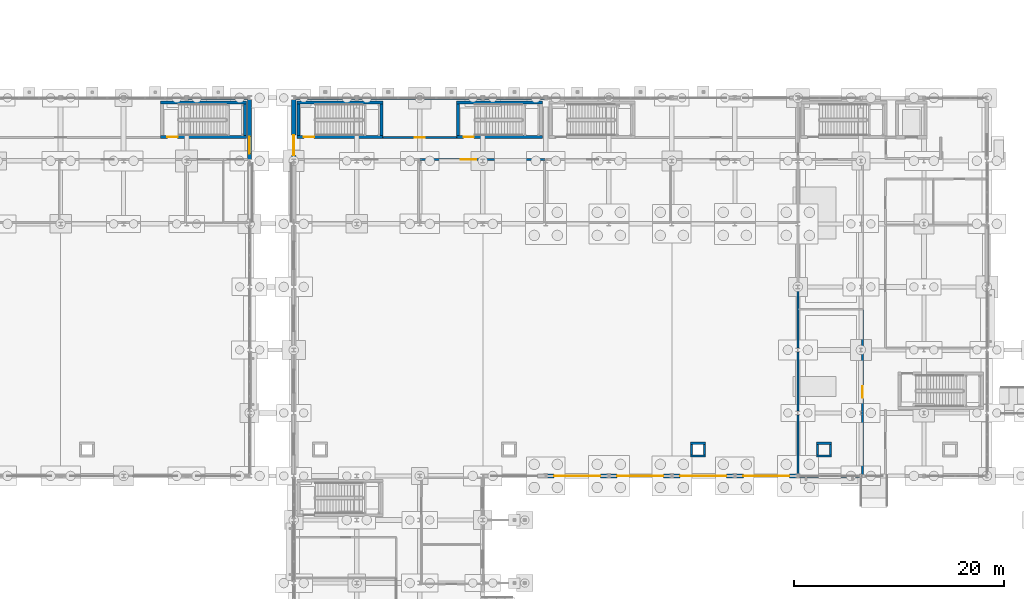
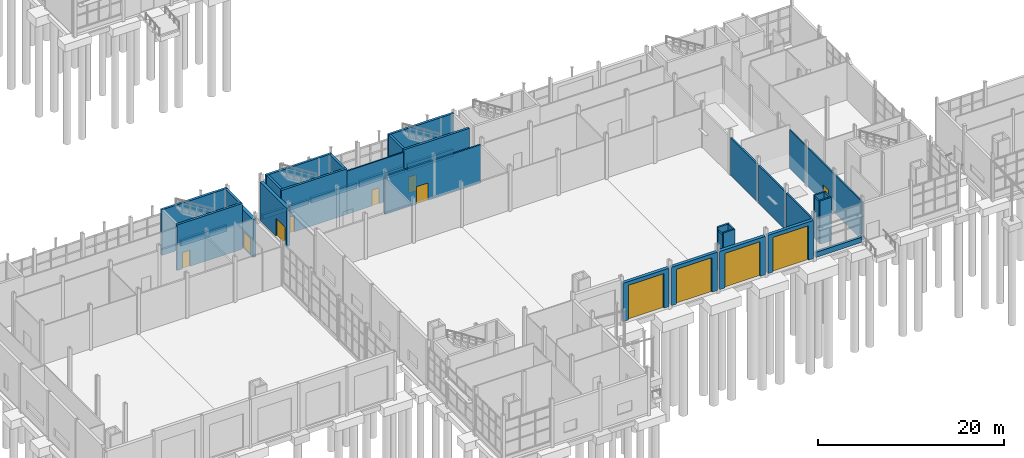
# One storey, part 95 of 120: 36 walls, 12 doors, 12 openings.
"""IFC4 building model written with IfcOpenShell, lengths in metres."""

from ifc_helpers import new_model, si_unit, direction, frame, frame_2d, origin, place, context, subcontext, project, spatial, rectangle, extrude, material, layer, layer_set, type_object, element, fill, save


model = new_model("IFC4")

# Units and contexts
model_context = context("Model", 3, precision=1e-05, world=origin(), true_north=direction((0.0, 1.0)))
body_context = subcontext(model_context, "Body", "Model", "MODEL_VIEW")
ifc_project = project(units=[si_unit("LENGTHUNIT", "METRE"), si_unit("AREAUNIT", "SQUARE_METRE"), si_unit("VOLUMEUNIT", "CUBIC_METRE"), si_unit("PLANEANGLEUNIT", "RADIAN"), si_unit("MASSUNIT", "GRAM", prefix="KILO")], contexts=[model_context])

# Site, building, storey
site_placement = place(None, origin())
site = spatial("IfcSite", under=ifc_project, at=site_placement, CompositionType="ELEMENT")
building_placement = place(site_placement, origin())
building = spatial("IfcBuilding", under=site, at=building_placement, Name="Siltcreek Boulevard Central Fire Station", CompositionType="ELEMENT")
storey_placement = place(building_placement, origin())
storey = spatial("IfcBuildingStorey", under=building, at=storey_placement, Name="L01", CompositionType="ELEMENT", Elevation=0.0)

# Wall, opening, door
ifc_material_1 = material(Name="Concrete C40/50", Category="concrete")
ifc_layer_1 = layer(ifc_material_1, 0.280029296875, Name="Concrete C40/50")
ifc_layer_set_1 = layer_set([ifc_layer_1], Name="Concrete C40/50")
wall_type_1 = type_object("IfcWallType", Name="CW_SHEAR280", PredefinedType="SHEAR", material=ifc_layer_set_1)
wall_1_placement = place(storey_placement, frame((29.320068359375, 50.260009765625, 0.0), z_axis=(0.0, 0.0, 1.0), x_axis=(1.0, 0.0, 0.0)))
wall_1 = element("IfcWall", 1, at=wall_1_placement, inside=storey, type_object=wall_type_1, Name="L01 ST-V4B stair enclosure south shear wall", PredefinedType="SHEAR", context=body_context, shape_type="SweptSolid", body=[
    extrude(rectangle(XDim=8.159912109375, YDim=0.280029296875, at=frame_2d((4.080078125, 0.0))), origin(), (0.0, 0.0, 1.0), 6.0),
])
opening_1_placement = place(wall_1_placement, frame((0.64990234375, 0.0, 0.0)))
opening_1 = element("IfcOpeningElement", 2, at=opening_1_placement, cuts=wall_1, Name="Opening SD-003", PredefinedType="OPENING", context=body_context, shape_type="SweptSolid", body=[
    extrude(rectangle(XDim=0.97998046875, YDim=2.14990234375, at=frame_2d((0.489990234375, 1.074951171875))), frame((0.0, 0.14990234375, 0.0), z_axis=(0.0, -1.0, 0.0), x_axis=(1.0, 0.0, 0.0)), (0.0, 0.0, 1.0), 0.300048828125),
])
ifc_material_2 = material(Name="Hollow metal 90-min enclosed stair door")
door_type_1 = type_object("IfcDoorType", Name="DR_ST_098X215", OperationType="NOTDEFINED", PredefinedType="DOOR", material=ifc_material_2)
door_1_placement = place(opening_1_placement, origin())
door_1 = element("IfcDoor", 3, at=door_1_placement, inside=storey, type_object=door_type_1, Name="L01 ST-V4B enclosed exit stair door SD-003", OperationType="SINGLE_SWING_RIGHT", OverallHeight=2.14990234375, OverallWidth=0.97998046875, PredefinedType="DOOR", context=body_context, shape_type="SweptSolid", body=[
    extrude(rectangle(XDim=0.97998046875, YDim=2.14990234375, at=frame_2d((0.489990234375, 1.074951171875))), frame((0.0, 0.02490234375, 0.0), z_axis=(0.0, -1.0, 0.0), x_axis=(1.0, 0.0, 0.0)), (0.0, 0.0, 1.0), 0.050048828125),
])
fill(opening_1, door_1)

# Walls
wall_2_placement = place(storey_placement, frame((37.47998046875, 53.5400390625, 0.0), z_axis=(0.0, 0.0, 1.0), x_axis=(-1.0, 0.0, 0.0)))
element("IfcWall", 4, at=wall_2_placement, inside=storey, type_object=wall_type_1, Name="L01 ST-V4B stair enclosure north shear wall", PredefinedType="SHEAR", context=body_context, shape_type="SweptSolid", body=[
    extrude(rectangle(XDim=8.159912109375, YDim=0.280029296875, at=frame_2d((4.080078125, 0.0))), origin(), (0.0, 0.0, 1.0), 6.0),
])
wall_3_placement = place(storey_placement, frame((37.340087890625, 50.39990234375, 0.0), z_axis=(0.0, 0.0, 1.0), x_axis=(0.0, 1.0, 0.0)))
element("IfcWall", 5, at=wall_3_placement, inside=storey, type_object=wall_type_1, Name="L01 ST-V4B stair enclosure east shear wall", PredefinedType="SHEAR", context=body_context, shape_type="SweptSolid", body=[
    extrude(rectangle(XDim=3.0, YDim=0.280029296875, at=frame_2d((1.5, 0.0))), origin(), (0.0, 0.0, 1.0), 6.0),
])

# Wall, opening, door
wall_4_placement = place(storey_placement, frame((42.320068359375, 50.260009765625, 0.0), z_axis=(0.0, 0.0, 1.0), x_axis=(1.0, 0.0, 0.0)))
wall_4 = element("IfcWall", 6, at=wall_4_placement, inside=storey, type_object=wall_type_1, Name="L01 ST-V1A stair enclosure south shear wall", PredefinedType="SHEAR", context=body_context, shape_type="SweptSolid", body=[
    extrude(rectangle(XDim=8.159912109375, YDim=0.280029296875, at=frame_2d((4.080078125, 0.0))), origin(), (0.0, 0.0, 1.0), 6.0),
])
opening_2_placement = place(wall_4_placement, frame((0.64990234375, 0.0, 0.0)))
opening_2 = element("IfcOpeningElement", 7, at=opening_2_placement, cuts=wall_4, Name="Opening SD-005", PredefinedType="OPENING", context=body_context, shape_type="SweptSolid", body=[
    extrude(rectangle(XDim=0.97998046875, YDim=2.14990234375, at=frame_2d((0.489990234375, 1.074951171875))), frame((0.0, 0.14990234375, 0.0), z_axis=(0.0, -1.0, 0.0), x_axis=(1.0, 0.0, 0.0)), (0.0, 0.0, 1.0), 0.300048828125),
])
door_2_placement = place(opening_2_placement, origin())
door_2 = element("IfcDoor", 8, at=door_2_placement, inside=storey, type_object=door_type_1, Name="L01 ST-V1A enclosed exit stair door SD-005", OperationType="SINGLE_SWING_RIGHT", OverallHeight=2.14990234375, OverallWidth=0.97998046875, PredefinedType="DOOR", context=body_context, shape_type="SweptSolid", body=[
    extrude(rectangle(XDim=0.97998046875, YDim=2.14990234375, at=frame_2d((0.489990234375, 1.074951171875))), frame((0.0, 0.02490234375, 0.0), z_axis=(0.0, -1.0, 0.0), x_axis=(1.0, 0.0, 0.0)), (0.0, 0.0, 1.0), 0.050048828125),
])
fill(opening_2, door_2)

# Walls
wall_5_placement = place(storey_placement, frame((50.47998046875, 53.5400390625, 0.0), z_axis=(0.0, 0.0, 1.0), x_axis=(-1.0, 0.0, 0.0)))
element("IfcWall", 9, at=wall_5_placement, inside=storey, type_object=wall_type_1, Name="L01 ST-V1A stair enclosure north shear wall", PredefinedType="SHEAR", context=body_context, shape_type="SweptSolid", body=[
    extrude(rectangle(XDim=8.159912109375, YDim=0.280029296875, at=frame_2d((4.080078125, 0.0))), origin(), (0.0, 0.0, 1.0), 6.0),
])
for number, where, z_axis, x_axis, name in (
    (10, (42.4599609375, 53.39990234375, 0.0), (0.0, 0.0, 1.0), (0.0, -1.0, 0.0), "L01 ST-V1A stair enclosure west shear wall"),
    (11, (50.340087890625, 50.39990234375, 0.0), (0.0, 0.0, 1.0), (0.0, 1.0, 0.0), "L01 ST-V1A stair enclosure east shear wall"),
):
    element("IfcWall", number, at=place(storey_placement, frame(where, z_axis=z_axis, x_axis=x_axis)), inside=storey, type_object=wall_type_1, Name=name, PredefinedType="SHEAR", context=body_context, shape_type="SweptSolid", body=[
        extrude(rectangle(XDim=3.0, YDim=0.280029296875, at=frame_2d((1.5, 0.0))), origin(), (0.0, 0.0, 1.0), 6.0),
    ])

# Wall, opening, door
wall_6_placement = place(storey_placement, frame((57.52001953125, 50.260009765625, 0.0), z_axis=(0.0, 0.0, 1.0), x_axis=(1.0, 0.0, 0.0)))
wall_6 = element("IfcWall", 12, at=wall_6_placement, inside=storey, type_object=wall_type_1, Name="L01 ST-V1B stair enclosure south shear wall", PredefinedType="SHEAR", context=body_context, shape_type="SweptSolid", body=[
    extrude(rectangle(XDim=8.159912109375, YDim=0.280029296875, at=frame_2d((4.080078125, 0.0))), origin(), (0.0, 0.0, 1.0), 6.0),
])
opening_3_placement = place(wall_6_placement, frame((0.64990234375, 0.0, 0.0)))
opening_3 = element("IfcOpeningElement", 13, at=opening_3_placement, cuts=wall_6, Name="Opening SD-007", PredefinedType="OPENING", context=body_context, shape_type="SweptSolid", body=[
    extrude(rectangle(XDim=0.97998046875, YDim=2.14990234375, at=frame_2d((0.489990234375, 1.074951171875))), frame((0.0, 0.14990234375, 0.0), z_axis=(0.0, -1.0, 0.0), x_axis=(1.0, 0.0, 0.0)), (0.0, 0.0, 1.0), 0.300048828125),
])
door_3_placement = place(opening_3_placement, origin())
door_3 = element("IfcDoor", 14, at=door_3_placement, inside=storey, type_object=door_type_1, Name="L01 ST-V1B enclosed exit stair door SD-007", OperationType="SINGLE_SWING_RIGHT", OverallHeight=2.14990234375, OverallWidth=0.97998046875, PredefinedType="DOOR", context=body_context, shape_type="SweptSolid", body=[
    extrude(rectangle(XDim=0.97998046875, YDim=2.14990234375, at=frame_2d((0.489990234375, 1.074951171875))), frame((0.0, 0.02490234375, 0.0), z_axis=(0.0, -1.0, 0.0), x_axis=(1.0, 0.0, 0.0)), (0.0, 0.0, 1.0), 0.050048828125),
])
fill(opening_3, door_3)

# Walls
wall_7_placement = place(storey_placement, frame((65.679931640625, 53.5400390625, 0.0), z_axis=(0.0, 0.0, 1.0), x_axis=(-1.0, 0.0, 0.0)))
element("IfcWall", 15, at=wall_7_placement, inside=storey, type_object=wall_type_1, Name="L01 ST-V1B stair enclosure north shear wall", PredefinedType="SHEAR", context=body_context, shape_type="SweptSolid", body=[
    extrude(rectangle(XDim=8.159912109375, YDim=0.280029296875, at=frame_2d((4.080078125, 0.0))), origin(), (0.0, 0.0, 1.0), 6.0),
])
wall_8_placement = place(storey_placement, frame((57.659912109375, 53.39990234375, 0.0), z_axis=(0.0, 0.0, 1.0), x_axis=(0.0, -1.0, 0.0)))
element("IfcWall", 16, at=wall_8_placement, inside=storey, type_object=wall_type_1, Name="L01 ST-V1B stair enclosure west shear wall", PredefinedType="SHEAR", context=body_context, shape_type="SweptSolid", body=[
    extrude(rectangle(XDim=3.0, YDim=0.280029296875, at=frame_2d((1.5, 0.0))), origin(), (0.0, 0.0, 1.0), 6.0),
])

# Wall, opening, door
ifc_material_3 = material(Name="Terracotta brick rainscreen on insulated CMU", Category="masonry")
ifc_layer_2 = layer(ifc_material_3, 0.389892578125, Name="Terracotta brick rainscreen on insulated CMU")
ifc_layer_set_2 = layer_set([ifc_layer_2], Name="Terracotta brick rainscreen on insulated CMU")
wall_type_2 = type_object("IfcWallType", Name="EW_BRICK390", PredefinedType="STANDARD", material=ifc_layer_set_2)
wall_9_placement = place(storey_placement, frame((66.14501953125, 18.0, 0.0), z_axis=(0.0, 0.0, 1.0), x_axis=(1.0, 0.0, 0.0)))
wall_9 = element("IfcWall", 17, at=wall_9_placement, inside=storey, type_object=wall_type_2, Name="L01 V1 exterior insulated rainscreen wall WL-EXT-L01-0005", PredefinedType="STANDARD", context=body_context, shape_type="SweptSolid", body=[
    extrude(rectangle(XDim=5.7099609375, YDim=0.389892578125, at=frame_2d((2.85498046875, 0.0))), origin(), (0.0, 0.0, 1.0), 5.034912109375),
])
opening_4_placement = place(wall_9_placement, frame((0.655029296875, 0.0, 0.0)))
opening_4 = element("IfcOpeningElement", 18, at=opening_4_placement, cuts=wall_9, Name="Opening ABD-02", PredefinedType="OPENING", context=body_context, shape_type="SweptSolid", body=[
    extrude(rectangle(XDim=4.39990234375, YDim=4.550048828125, at=frame_2d((2.199951171875, 2.27490234375))), frame((0.0, 0.204833984375, 0.0), z_axis=(0.0, -1.0, 0.0), x_axis=(1.0, 0.0, 0.0)), (0.0, 0.0, 1.0), 0.409912109375),
])
ifc_material_4 = material(Name="Aluminum full-vision glazed bi-fold apparatus door", Category="aluminium")
door_type_2 = type_object("IfcDoorType", Name="DR_BAY_440X455", OperationType="NOTDEFINED", PredefinedType="DOOR", material=ifc_material_4)
door_4_placement = place(opening_4_placement, frame((4.39990234375, 0.0, 0.0), z_axis=(0.0, 0.0, 1.0), x_axis=(-1.0, 0.0, 0.0)))
door_4 = element("IfcDoor", 19, at=door_4_placement, inside=storey, type_object=door_type_2, Name="Apparatus overhead bay door ABD-02", OperationType="FOLDING_TO_LEFT", OverallHeight=4.550048828125, OverallWidth=4.39990234375, PredefinedType="DOOR", context=body_context, shape_type="SweptSolid", body=[
    extrude(rectangle(XDim=4.39990234375, YDim=4.550048828125, at=frame_2d((2.199951171875, 2.27490234375))), frame((0.0, 0.02490234375, 0.0), z_axis=(0.0, -1.0, 0.0), x_axis=(1.0, 0.0, 0.0)), (0.0, 0.0, 1.0), 0.050048828125),
])
fill(opening_4, door_4)

wall_10_placement = place(storey_placement, frame((72.14501953125, 18.0, 0.0), z_axis=(0.0, 0.0, 1.0), x_axis=(1.0, 0.0, 0.0)))
wall_10 = element("IfcWall", 20, at=wall_10_placement, inside=storey, type_object=wall_type_2, Name="L01 V1 exterior insulated rainscreen wall WL-EXT-L01-0006", PredefinedType="STANDARD", context=body_context, shape_type="SweptSolid", body=[
    extrude(rectangle(XDim=5.7099609375, YDim=0.389892578125, at=frame_2d((2.85498046875, 0.0))), origin(), (0.0, 0.0, 1.0), 5.034912109375),
])
opening_5_placement = place(wall_10_placement, frame((0.655029296875, 0.0, 0.0)))
opening_5 = element("IfcOpeningElement", 21, at=opening_5_placement, cuts=wall_10, Name="Opening ABD-03", PredefinedType="OPENING", context=body_context, shape_type="SweptSolid", body=[
    extrude(rectangle(XDim=4.39990234375, YDim=4.550048828125, at=frame_2d((2.199951171875, 2.27490234375))), frame((0.0, 0.204833984375, 0.0), z_axis=(0.0, -1.0, 0.0), x_axis=(1.0, 0.0, 0.0)), (0.0, 0.0, 1.0), 0.409912109375),
])
door_5_placement = place(opening_5_placement, frame((4.39990234375, 0.0, 0.0), z_axis=(0.0, 0.0, 1.0), x_axis=(-1.0, 0.0, 0.0)))
door_5 = element("IfcDoor", 22, at=door_5_placement, inside=storey, type_object=door_type_2, Name="Apparatus overhead bay door ABD-03", OperationType="FOLDING_TO_LEFT", OverallHeight=4.550048828125, OverallWidth=4.39990234375, PredefinedType="DOOR", context=body_context, shape_type="SweptSolid", body=[
    extrude(rectangle(XDim=4.39990234375, YDim=4.550048828125, at=frame_2d((2.199951171875, 2.27490234375))), frame((0.0, 0.02490234375, 0.0), z_axis=(0.0, -1.0, 0.0), x_axis=(1.0, 0.0, 0.0)), (0.0, 0.0, 1.0), 0.050048828125),
])
fill(opening_5, door_5)

wall_11_placement = place(storey_placement, frame((78.14501953125, 18.0, 0.0), z_axis=(0.0, 0.0, 1.0), x_axis=(1.0, 0.0, 0.0)))
wall_11 = element("IfcWall", 23, at=wall_11_placement, inside=storey, type_object=wall_type_2, Name="L01 V1 exterior insulated rainscreen wall WL-EXT-L01-0007", PredefinedType="STANDARD", context=body_context, shape_type="SweptSolid", body=[
    extrude(rectangle(XDim=5.7099609375, YDim=0.389892578125, at=frame_2d((2.85498046875, 0.0))), origin(), (0.0, 0.0, 1.0), 5.034912109375),
])
opening_6_placement = place(wall_11_placement, frame((0.655029296875, 0.0, 0.0)))
opening_6 = element("IfcOpeningElement", 24, at=opening_6_placement, cuts=wall_11, Name="Opening ABD-04", PredefinedType="OPENING", context=body_context, shape_type="SweptSolid", body=[
    extrude(rectangle(XDim=4.39990234375, YDim=4.550048828125, at=frame_2d((2.199951171875, 2.27490234375))), frame((0.0, 0.204833984375, 0.0), z_axis=(0.0, -1.0, 0.0), x_axis=(1.0, 0.0, 0.0)), (0.0, 0.0, 1.0), 0.409912109375),
])
door_6_placement = place(opening_6_placement, frame((4.39990234375, 0.0, 0.0), z_axis=(0.0, 0.0, 1.0), x_axis=(-1.0, 0.0, 0.0)))
door_6 = element("IfcDoor", 25, at=door_6_placement, inside=storey, type_object=door_type_2, Name="Apparatus overhead bay door ABD-04", OperationType="FOLDING_TO_LEFT", OverallHeight=4.550048828125, OverallWidth=4.39990234375, PredefinedType="DOOR", context=body_context, shape_type="SweptSolid", body=[
    extrude(rectangle(XDim=4.39990234375, YDim=4.550048828125, at=frame_2d((2.199951171875, 2.27490234375))), frame((0.0, 0.02490234375, 0.0), z_axis=(0.0, -1.0, 0.0), x_axis=(1.0, 0.0, 0.0)), (0.0, 0.0, 1.0), 0.050048828125),
])
fill(opening_6, door_6)

wall_12_placement = place(storey_placement, frame((84.14501953125, 18.0, 0.0), z_axis=(0.0, 0.0, 1.0), x_axis=(1.0, 0.0, 0.0)))
wall_12 = element("IfcWall", 26, at=wall_12_placement, inside=storey, type_object=wall_type_2, Name="L01 V1 exterior insulated rainscreen wall WL-EXT-L01-0008", PredefinedType="STANDARD", context=body_context, shape_type="SweptSolid", body=[
    extrude(rectangle(XDim=5.7099609375, YDim=0.389892578125, at=frame_2d((2.85498046875, 0.0))), origin(), (0.0, 0.0, 1.0), 5.034912109375),
])
opening_7_placement = place(wall_12_placement, frame((0.655029296875, 0.0, 0.0)))
opening_7 = element("IfcOpeningElement", 27, at=opening_7_placement, cuts=wall_12, Name="Opening ABD-05", PredefinedType="OPENING", context=body_context, shape_type="SweptSolid", body=[
    extrude(rectangle(XDim=4.39990234375, YDim=4.550048828125, at=frame_2d((2.199951171875, 2.27490234375))), frame((0.0, 0.204833984375, 0.0), z_axis=(0.0, -1.0, 0.0), x_axis=(1.0, 0.0, 0.0)), (0.0, 0.0, 1.0), 0.409912109375),
])
door_7_placement = place(opening_7_placement, frame((4.39990234375, 0.0, 0.0), z_axis=(0.0, 0.0, 1.0), x_axis=(-1.0, 0.0, 0.0)))
door_7 = element("IfcDoor", 28, at=door_7_placement, inside=storey, type_object=door_type_2, Name="Apparatus overhead bay door ABD-05", OperationType="FOLDING_TO_LEFT", OverallHeight=4.550048828125, OverallWidth=4.39990234375, PredefinedType="DOOR", context=body_context, shape_type="SweptSolid", body=[
    extrude(rectangle(XDim=4.39990234375, YDim=4.550048828125, at=frame_2d((2.199951171875, 2.27490234375))), frame((0.0, 0.02490234375, 0.0), z_axis=(0.0, -1.0, 0.0), x_axis=(1.0, 0.0, 0.0)), (0.0, 0.0, 1.0), 0.050048828125),
])
fill(opening_7, door_7)

wall_13_placement = place(storey_placement, frame((42.0, 53.85498046875, 0.0), z_axis=(0.0, 0.0, 1.0), x_axis=(0.0, -1.0, 0.0)))
wall_13 = element("IfcWall", 29, at=wall_13_placement, inside=storey, type_object=wall_type_2, Name="L01 V1 exterior insulated rainscreen wall WL-EXT-L01-0025", PredefinedType="STANDARD", context=body_context, shape_type="SweptSolid", body=[
    extrude(rectangle(XDim=5.7099609375, YDim=0.389892578125, at=frame_2d((2.85498046875, 0.0))), origin(), (0.0, 0.0, 1.0), 5.0439453125),
])
opening_8_placement = place(wall_13_placement, frame((3.3935546875, 0.0, 0.0)))
opening_8 = element("IfcOpeningElement", 30, at=opening_8_placement, cuts=wall_13, Name="Opening ED-108", PredefinedType="OPENING", context=body_context, shape_type="SweptSolid", body=[
    extrude(rectangle(XDim=1.949951171875, YDim=2.35009765625, at=frame_2d((0.97509765625, 1.175048828125))), frame((0.0, 0.204833984375, 0.0), z_axis=(0.0, -1.0, 0.0), x_axis=(1.0, 0.0, 0.0)), (0.0, 0.0, 1.0), 0.409912109375),
])
ifc_material_5 = material(Name="Hollow metal insulated exit discharge pair")
door_type_3 = type_object("IfcDoorType", Name="DR_EXT_195X235", OperationType="NOTDEFINED", PredefinedType="DOOR", material=ifc_material_5)
door_8_placement = place(opening_8_placement, frame((1.949951171875, 0.0, 0.0), z_axis=(0.0, 0.0, 1.0), x_axis=(-1.0, 0.0, 0.0)))
door_8 = element("IfcDoor", 31, at=door_8_placement, inside=storey, type_object=door_type_3, Name="Ground level pedestrian final exit door ED-108", OperationType="DOUBLE_DOOR_SINGLE_SWING", OverallHeight=2.35009765625, OverallWidth=1.949951171875, PredefinedType="DOOR", context=body_context, shape_type="SweptSolid", body=[
    extrude(rectangle(XDim=1.949951171875, YDim=2.35009765625, at=frame_2d((0.97509765625, 1.175048828125))), frame((0.0, 0.02490234375, 0.0), z_axis=(0.0, -1.0, 0.0), x_axis=(1.0, 0.0, 0.0)), (0.0, 0.0, 1.0), 0.050048828125),
])
fill(opening_8, door_8)

wall_14_placement = place(storey_placement, frame((37.800048828125, 48.14501953125, 0.0), z_axis=(0.0, 0.0, 1.0), x_axis=(0.0, 1.0, 0.0)))
wall_14 = element("IfcWall", 32, at=wall_14_placement, inside=storey, type_object=wall_type_2, Name="L01 V4 exterior insulated rainscreen wall WL-EXT-L01-0246", PredefinedType="STANDARD", context=body_context, shape_type="SweptSolid", body=[
    extrude(rectangle(XDim=5.7099609375, YDim=0.389892578125, at=frame_2d((2.85498046875, 0.0))), origin(), (0.0, 0.0, 1.0), 5.0439453125),
])
opening_9_placement = place(wall_14_placement, frame((0.537109375, 0.0, 0.0)))
opening_9 = element("IfcOpeningElement", 33, at=opening_9_placement, cuts=wall_14, Name="Opening ED-125", PredefinedType="OPENING", context=body_context, shape_type="SweptSolid", body=[
    extrude(rectangle(XDim=1.6201171875, YDim=2.199951171875, at=frame_2d((0.81005859375, 1.10009765625))), frame((0.0, 0.204833984375, 0.0), z_axis=(0.0, -1.0, 0.0), x_axis=(1.0, 0.0, 0.0)), (0.0, 0.0, 1.0), 0.409912109375),
])
ifc_material_6 = material(Name="Thermally broken glazed terrace pair")
door_type_4 = type_object("IfcDoorType", Name="DR_TER_162X220", OperationType="NOTDEFINED", PredefinedType="DOOR", material=ifc_material_6)
door_9_placement = place(opening_9_placement, frame((1.6201171875, 0.0, 0.0), z_axis=(0.0, 0.0, 1.0), x_axis=(-1.0, 0.0, 0.0)))
door_9 = element("IfcDoor", 34, at=door_9_placement, inside=storey, type_object=door_type_4, Name="Ground level pedestrian final exit door ED-125", OperationType="SINGLE_SWING_RIGHT", OverallHeight=2.199951171875, OverallWidth=1.6201171875, PredefinedType="DOOR", context=body_context, shape_type="SweptSolid", body=[
    extrude(rectangle(XDim=1.6201171875, YDim=2.199951171875, at=frame_2d((0.81005859375, 1.10009765625))), frame((0.0, 0.02490234375, 0.0), z_axis=(0.0, -1.0, 0.0), x_axis=(1.0, 0.0, 0.0)), (0.0, 0.0, 1.0), 0.050048828125),
])
fill(opening_9, door_9)

# Walls
ifc_material_7 = material(Name="White ribbed aluminum spandrel wall", Category="aluminium")
ifc_layer_3 = layer(ifc_material_7, 0.2900390625, Name="White ribbed aluminum spandrel wall")
ifc_layer_set_3 = layer_set([ifc_layer_3], Name="White ribbed aluminum spandrel wall")
wall_type_3 = type_object("IfcWallType", Name="EW_METAL290", PredefinedType="STANDARD", material=ifc_layer_set_3)
wall_15_placement = place(storey_placement, frame((47.85498046875, 54.0, 0.0), z_axis=(0.0, 0.0, 1.0), x_axis=(-1.0, 0.0, 0.0)))
element("IfcWall", 35, at=wall_15_placement, inside=storey, type_object=wall_type_3, Name="L01 V1 curtain-wall sill spandrel 0009", PredefinedType="STANDARD", context=body_context, shape_type="SweptSolid", body=[
    extrude(rectangle(XDim=5.7099609375, YDim=0.2900390625, at=frame_2d((2.85498046875, 0.0))), origin(), (0.0, 0.0, 1.0), 0.56005859375),
])
wall_16_placement = place(storey_placement, frame((53.85498046875, 54.0, 0.0), z_axis=(0.0, 0.0, 1.0), x_axis=(-1.0, 0.0, 0.0)))
element("IfcWall", 36, at=wall_16_placement, inside=storey, type_object=wall_type_3, Name="L01 V1 curtain-wall sill spandrel 0010", PredefinedType="STANDARD", context=body_context, shape_type="SweptSolid", body=[
    extrude(rectangle(XDim=5.7099609375, YDim=0.2900390625, at=frame_2d((2.85498046875, 0.0))), origin(), (0.0, 0.0, 1.0), 0.679931640625),
])
wall_17_placement = place(storey_placement, frame((59.85498046875, 54.0, 0.0), z_axis=(0.0, 0.0, 1.0), x_axis=(-1.0, 0.0, 0.0)))
element("IfcWall", 37, at=wall_17_placement, inside=storey, type_object=wall_type_3, Name="L01 V1 curtain-wall sill spandrel 0011", PredefinedType="STANDARD", context=body_context, shape_type="SweptSolid", body=[
    extrude(rectangle(XDim=5.7099609375, YDim=0.2900390625, at=frame_2d((2.85498046875, 0.0))), origin(), (0.0, 0.0, 1.0), 0.800048828125),
])
wall_18_placement = place(storey_placement, frame((65.85498046875, 54.0, 0.0), z_axis=(0.0, 0.0, 1.0), x_axis=(-1.0, 0.0, 0.0)))
element("IfcWall", 38, at=wall_18_placement, inside=storey, type_object=wall_type_3, Name="L01 V1 curtain-wall sill spandrel 0012", PredefinedType="STANDARD", context=body_context, shape_type="SweptSolid", body=[
    extrude(rectangle(XDim=5.7099609375, YDim=0.2900390625, at=frame_2d((2.85498046875, 0.0))), origin(), (0.0, 0.0, 1.0), 0.919921875),
])
wall_19_placement = place(storey_placement, frame((90.14501953125, 18.0, 0.0), z_axis=(0.0, 0.0, 1.0), x_axis=(1.0, 0.0, 0.0)))
element("IfcWall", 39, at=wall_19_placement, inside=storey, type_object=wall_type_3, Name="L01 V2 curtain-wall sill spandrel 0049", PredefinedType="STANDARD", context=body_context, shape_type="SweptSolid", body=[
    extrude(rectangle(XDim=5.7099609375, YDim=0.2900390625, at=frame_2d((2.85498046875, 0.0))), origin(), (0.0, 0.0, 1.0), 0.679931640625),
])
wall_20_placement = place(storey_placement, frame((37.655029296875, 54.0, 0.0), z_axis=(0.0, 0.0, 1.0), x_axis=(-1.0, 0.0, 0.0)))
element("IfcWall", 40, at=wall_20_placement, inside=storey, type_object=wall_type_3, Name="L01 V4 curtain-wall sill spandrel 0234", PredefinedType="STANDARD", context=body_context, shape_type="SweptSolid", body=[
    extrude(rectangle(XDim=5.7099609375, YDim=0.2900390625, at=frame_2d((2.85498046875, 0.0))), origin(), (0.0, 0.0, 1.0), 0.800048828125),
])
ifc_material_8 = material(Name="Fire-rated concrete masonry and gypsum barrier", Category="masonry")
ifc_layer_4 = layer(ifc_material_8, 0.199951171875, Name="Fire-rated concrete masonry and gypsum barrier")
ifc_layer_set_4 = layer_set([ifc_layer_4], Name="Fire-rated concrete masonry and gypsum barrier")
wall_type_4 = type_object("IfcWallType", Name="IW_FIRE200", PredefinedType="PARTITIONING", material=ifc_layer_set_4)
wall_21_placement = place(storey_placement, frame((79.784912109375, 19.885009765625, 0.0), z_axis=(0.0, 0.0, 1.0), x_axis=(1.0, 0.0, 0.0)))
element("IfcWall", 41, at=wall_21_placement, inside=storey, type_object=wall_type_4, Name="L01 enclosed MEP service riser wall 010-S", PredefinedType="PARTITIONING", context=body_context, shape_type="SweptSolid", body=[
    extrude(rectangle(XDim=1.43017578125, YDim=0.199951171875, at=frame_2d((0.715087890625, 0.0))), origin(), (0.0, 0.0, 1.0), 5.679931640625),
])
wall_22_placement = place(storey_placement, frame((81.114990234375, 19.985107421875, 0.0), z_axis=(0.0, 0.0, 1.0), x_axis=(0.0, 1.0, 0.0)))
element("IfcWall", 42, at=wall_22_placement, inside=storey, type_object=wall_type_4, Name="L01 enclosed MEP service riser wall 010-E", PredefinedType="PARTITIONING", context=body_context, shape_type="SweptSolid", body=[
    extrude(rectangle(XDim=1.02978515625, YDim=0.199951171875, at=frame_2d((0.514892578125, 0.0))), origin(), (0.0, 0.0, 1.0), 5.679931640625),
])
wall_23_placement = place(storey_placement, frame((81.215087890625, 21.114990234375, 0.0), z_axis=(0.0, 0.0, 1.0), x_axis=(-1.0, 0.0, 0.0)))
element("IfcWall", 43, at=wall_23_placement, inside=storey, type_object=wall_type_4, Name="L01 enclosed MEP service riser wall 010-N", PredefinedType="PARTITIONING", context=body_context, shape_type="SweptSolid", body=[
    extrude(rectangle(XDim=1.43017578125, YDim=0.199951171875, at=frame_2d((0.715087890625, 0.0))), origin(), (0.0, 0.0, 1.0), 5.679931640625),
])
wall_24_placement = place(storey_placement, frame((79.885009765625, 21.014892578125, 0.0), z_axis=(0.0, 0.0, 1.0), x_axis=(0.0, -1.0, 0.0)))
element("IfcWall", 44, at=wall_24_placement, inside=storey, type_object=wall_type_4, Name="L01 enclosed MEP service riser wall 010-W", PredefinedType="PARTITIONING", context=body_context, shape_type="SweptSolid", body=[
    extrude(rectangle(XDim=1.02978515625, YDim=0.199951171875, at=frame_2d((0.514892578125, 0.0))), origin(), (0.0, 0.0, 1.0), 5.2490234375),
])
wall_25_placement = place(storey_placement, frame((91.784912109375, 19.885009765625, 0.0), z_axis=(0.0, 0.0, 1.0), x_axis=(1.0, 0.0, 0.0)))
element("IfcWall", 45, at=wall_25_placement, inside=storey, type_object=wall_type_4, Name="L01 enclosed MEP service riser wall 011-S", PredefinedType="PARTITIONING", context=body_context, shape_type="SweptSolid", body=[
    extrude(rectangle(XDim=1.43017578125, YDim=0.199951171875, at=frame_2d((0.715087890625, 0.0))), origin(), (0.0, 0.0, 1.0), 5.679931640625),
])
wall_26_placement = place(storey_placement, frame((93.114990234375, 19.985107421875, 0.0), z_axis=(0.0, 0.0, 1.0), x_axis=(0.0, 1.0, 0.0)))
element("IfcWall", 46, at=wall_26_placement, inside=storey, type_object=wall_type_4, Name="L01 enclosed MEP service riser wall 011-E", PredefinedType="PARTITIONING", context=body_context, shape_type="SweptSolid", body=[
    extrude(rectangle(XDim=1.02978515625, YDim=0.199951171875, at=frame_2d((0.514892578125, 0.0))), origin(), (0.0, 0.0, 1.0), 5.679931640625),
])
wall_27_placement = place(storey_placement, frame((93.215087890625, 21.114990234375, 0.0), z_axis=(0.0, 0.0, 1.0), x_axis=(-1.0, 0.0, 0.0)))
element("IfcWall", 47, at=wall_27_placement, inside=storey, type_object=wall_type_4, Name="L01 enclosed MEP service riser wall 011-N", PredefinedType="PARTITIONING", context=body_context, shape_type="SweptSolid", body=[
    extrude(rectangle(XDim=1.43017578125, YDim=0.199951171875, at=frame_2d((0.715087890625, 0.0))), origin(), (0.0, 0.0, 1.0), 5.679931640625),
])
wall_28_placement = place(storey_placement, frame((91.885009765625, 21.014892578125, 0.0), z_axis=(0.0, 0.0, 1.0), x_axis=(0.0, -1.0, 0.0)))
element("IfcWall", 48, at=wall_28_placement, inside=storey, type_object=wall_type_4, Name="L01 enclosed MEP service riser wall 011-W", PredefinedType="PARTITIONING", context=body_context, shape_type="SweptSolid", body=[
    extrude(rectangle(XDim=1.02978515625, YDim=0.199951171875, at=frame_2d((0.514892578125, 0.0))), origin(), (0.0, 0.0, 1.0), 5.450927734375),
])
for number, where, z_axis, x_axis, name in (
    (49, (90.0, 18.179931640625, 0.0), (0.0, 0.0, 1.0), (0.0, 1.0, 0.0), "L01 station fire-barrier wall FW-1"),
    (50, (90.0, 24.179931640625, 0.0), (0.0, 0.0, 1.0), (0.0, 1.0, 0.0), "L01 station fire-barrier wall FW-2"),
    (51, (90.0, 30.179931640625, 0.0), (0.0, 0.0, 1.0), (0.0, 1.0, 0.0), "L01 station fire-barrier wall FW-3"),
):
    element("IfcWall", number, at=place(storey_placement, frame(where, z_axis=z_axis, x_axis=x_axis)), inside=storey, type_object=wall_type_4, Name=name, PredefinedType="PARTITIONING", context=body_context, shape_type="SweptSolid", body=[
        extrude(rectangle(XDim=5.64013671875, YDim=0.199951171875, at=frame_2d((2.820068359375, 0.0))), origin(), (0.0, 0.0, 1.0), 4.958984375),
    ])

# Wall, opening, door
wall_29_placement = place(storey_placement, frame((53.97998046875, 48.1298828125, 0.0), z_axis=(0.0, 0.0, 1.0), x_axis=(1.0, 0.0, 0.0)))
wall_29 = element("IfcWall", 52, at=wall_29_placement, inside=storey, type_object=wall_type_4, Name="L01 PPE Extractor and Drying Laundry Room partition 0045", PredefinedType="PARTITIONING", context=body_context, shape_type="SweptSolid", body=[
    extrude(rectangle(XDim=11.93994140625, YDim=0.199951171875, at=frame_2d((5.969970703125, 0.0))), origin(), (0.0, 0.0, 1.0), 5.034912109375),
])
opening_10_placement = place(wall_29_placement, frame((3.914794921875, 0.0, 0.0)))
opening_10 = element("IfcOpeningElement", 53, at=opening_10_placement, cuts=wall_29, Name="Opening ID11", PredefinedType="OPENING", context=body_context, shape_type="SweptSolid", body=[
    extrude(rectangle(XDim=1.4599609375, YDim=2.300048828125, at=frame_2d((0.72998046875, 1.14990234375))), frame((0.0, 0.10986328125, 0.0), z_axis=(0.0, -1.0, 0.0), x_axis=(1.0, 0.0, 0.0)), (0.0, 0.0, 1.0), 0.219970703125),
])
ifc_material_9 = material(Name="Hollow metal mechanical plant double-wide door")
door_type_5 = type_object("IfcDoorType", Name="DR_PLT_146X230", OperationType="NOTDEFINED", PredefinedType="DOOR", material=ifc_material_9)
door_10_placement = place(opening_10_placement, frame((1.4599609375, 0.0, 0.0), z_axis=(0.0, 0.0, 1.0), x_axis=(-1.0, 0.0, 0.0)))
door_10 = element("IfcDoor", 54, at=door_10_placement, inside=storey, type_object=door_type_5, Name="L01 PPE Extractor and Drying Laundry Room door ID-0020", OperationType="SINGLE_SWING_LEFT", OverallHeight=2.300048828125, OverallWidth=1.4599609375, PredefinedType="DOOR", context=body_context, shape_type="SweptSolid", body=[
    extrude(rectangle(XDim=1.4599609375, YDim=2.300048828125, at=frame_2d((0.72998046875, 1.14990234375))), frame((0.0, 0.02490234375, 0.0), z_axis=(0.0, -1.0, 0.0), x_axis=(1.0, 0.0, 0.0)), (0.0, 0.0, 1.0), 0.050048828125),
])
fill(opening_10, door_10)

ifc_material_10 = material(Name="Acoustic smoke-barrier steel stud gypsum wall", Category="steel")
ifc_layer_5 = layer(ifc_material_10, 0.1650390625, Name="Acoustic smoke-barrier steel stud gypsum wall")
ifc_layer_set_5 = layer_set([ifc_layer_5], Name="Acoustic smoke-barrier steel stud gypsum wall")
wall_type_5 = type_object("IfcWallType", Name="IW_SMK165", PredefinedType="PARTITIONING", material=ifc_layer_set_5)
wall_30_placement = place(storey_placement, frame((57.52001953125, 50.219970703125, 0.0), z_axis=(0.0, 0.0, 1.0), x_axis=(-1.0, 0.0, 0.0)))
wall_30 = element("IfcWall", 55, at=wall_30_placement, inside=storey, type_object=wall_type_5, Name="L01 EMS Narcotics and Medical Room partition 0053", PredefinedType="PARTITIONING", context=body_context, shape_type="SweptSolid", body=[
    extrude(rectangle(XDim=7.0400390625, YDim=0.1650390625, at=frame_2d((3.52001953125, 0.0))), origin(), (0.0, 0.0, 1.0), 5.679931640625),
])
opening_11_placement = place(wall_30_placement, frame((3.06494140625, 0.0, 0.0)))
opening_11 = element("IfcOpeningElement", 56, at=opening_11_placement, cuts=wall_30, Name="Opening ID04", PredefinedType="OPENING", context=body_context, shape_type="SweptSolid", body=[
    extrude(rectangle(XDim=0.909912109375, YDim=2.10009765625, at=frame_2d((0.455078125, 1.050048828125))), frame((0.0, 0.092529296875, 0.0), z_axis=(0.0, -1.0, 0.0), x_axis=(1.0, 0.0, 0.0)), (0.0, 0.0, 1.0), 0.18505859375),
])
ifc_material_11 = material(Name="STC-45 acoustic crew bunk room door")
door_type_6 = type_object("IfcDoorType", Name="DR_BNK_091X210", OperationType="NOTDEFINED", PredefinedType="DOOR", material=ifc_material_11)
door_11_placement = place(opening_11_placement, frame((0.909912109375, 0.0, 0.0), z_axis=(0.0, 0.0, 1.0), x_axis=(-1.0, 0.0, 0.0)))
door_11 = element("IfcDoor", 57, at=door_11_placement, inside=storey, type_object=door_type_6, Name="L01 EMS Narcotics and Medical Room door ID-0023", OperationType="SINGLE_SWING_RIGHT", OverallHeight=2.10009765625, OverallWidth=0.909912109375, PredefinedType="DOOR", context=body_context, shape_type="SweptSolid", body=[
    extrude(rectangle(XDim=0.909912109375, YDim=2.10009765625, at=frame_2d((0.455078125, 1.050048828125))), frame((0.0, 0.02490234375, 0.0), z_axis=(0.0, -1.0, 0.0), x_axis=(1.0, 0.0, 0.0)), (0.0, 0.0, 1.0), 0.050048828125),
])
fill(opening_11, door_11)

wall_31_placement = place(storey_placement, frame((96.159912109375, 33.8173828125, 0.0), z_axis=(0.0, 0.0, 1.0), x_axis=(0.0, -1.0, 0.0)))
wall_31 = element("IfcWall", 58, at=wall_31_placement, inside=storey, type_object=wall_type_5, Name="L01 Battalion Chief Duty Office partition 0056", PredefinedType="PARTITIONING", context=body_context, shape_type="SweptSolid", body=[
    extrude(rectangle(XDim=15.657470703125, YDim=0.1650390625, at=frame_2d((7.82861328125, 0.0))), origin(), (0.0, 0.0, 1.0), 5.0439453125),
])
opening_12_placement = place(wall_31_placement, frame((7.263916015625, 0.0, 0.0)))
opening_12 = element("IfcOpeningElement", 59, at=opening_12_placement, cuts=wall_31, Name="Opening ID07", PredefinedType="OPENING", context=body_context, shape_type="SweptSolid", body=[
    extrude(rectangle(XDim=1.1298828125, YDim=2.179931640625, at=frame_2d((0.56494140625, 1.08984375))), frame((0.0, 0.092529296875, 0.0), z_axis=(0.0, -1.0, 0.0), x_axis=(1.0, 0.0, 0.0)), (0.0, 0.0, 1.0), 0.18505859375),
])
ifc_material_12 = material(Name="Galvanized steel drill training prop door", Category="steel")
door_type_7 = type_object("IfcDoorType", Name="DR_DRL_113X218", OperationType="NOTDEFINED", PredefinedType="DOOR", material=ifc_material_12)
door_12_placement = place(opening_12_placement, frame((1.1298828125, 0.0, 0.0), z_axis=(0.0, 0.0, 1.0), x_axis=(-1.0, 0.0, 0.0)))
door_12 = element("IfcDoor", 60, at=door_12_placement, inside=storey, type_object=door_type_7, Name="L01 Battalion Chief Duty Office door ID-0025", OperationType="SINGLE_SWING_RIGHT", OverallHeight=2.179931640625, OverallWidth=1.1298828125, PredefinedType="DOOR", context=body_context, shape_type="SweptSolid", body=[
    extrude(rectangle(XDim=1.1298828125, YDim=2.179931640625, at=frame_2d((0.56494140625, 1.08984375))), frame((0.0, 0.02490234375, 0.0), z_axis=(0.0, -1.0, 0.0), x_axis=(1.0, 0.0, 0.0)), (0.0, 0.0, 1.0), 0.050048828125),
])
fill(opening_12, door_12)

save(model, "model.ifc")
